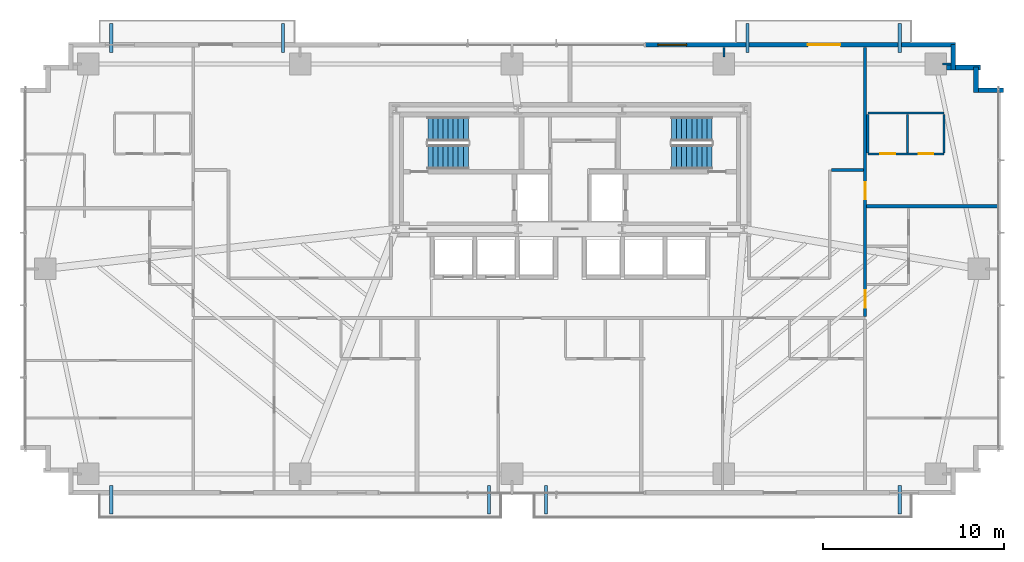
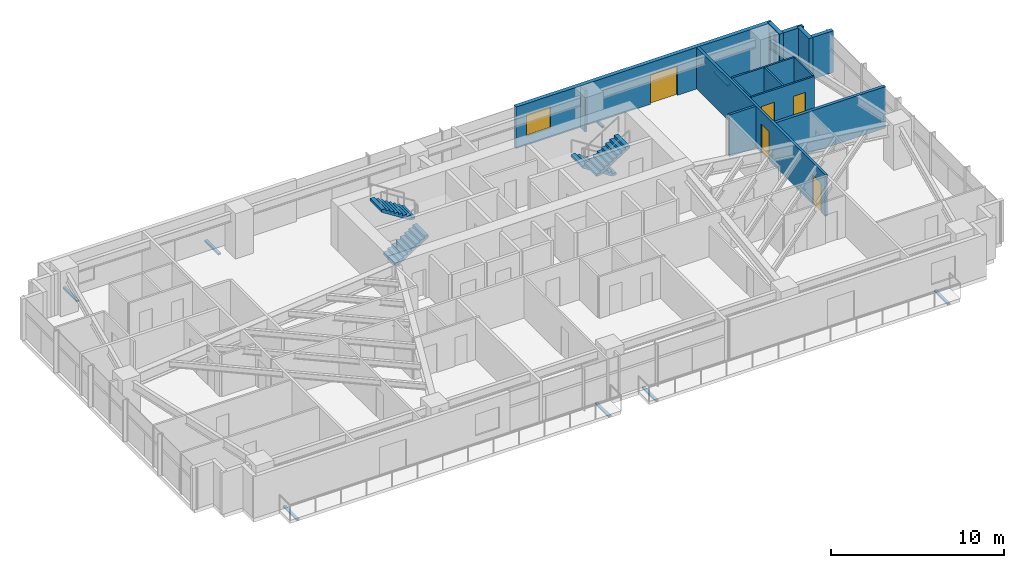
# One storey, part 22 of 25: 15 walls, 8 discrete accessories, 5 doors, 4 stair flights, 1 window, 6 openings, 2 elements without a shape of their own.
"""IFC4 building model written with IfcOpenShell, lengths in metres."""

import ifcopenshell
import ifcopenshell.guid

model = None  # the IFC model being written
_history = None  # IfcOwnerHistory: only IFC2X3 demands one
_inside = {}  # id of a spatial element -> (the spatial element, [elements in it])
_under = {}  # id of a project, library or spatial element -> (it, [spatial elements below it])
_declared = {}  # id of a project -> (the project, [libraries it declares])
_typed = {}  # id of a type object -> (the type object, [elements of that type])
_made_of = {}  # id of a material, layer set ... -> (it, [elements and type objects made of it])


def new_model(schema):
    """Start an empty IFC model of exactly this schema.

    Asked for "IFC4X3", IfcOpenShell would pick the latest addendum, in which some entities
    have other attributes; the version numbers below select the first issue.
    IFC2X3 requires an IfcOwnerHistory on every rooted entity: one is made here for all.
    """
    global model, _history
    if schema == "IFC4X3":
        model = ifcopenshell.file(schema_version=(4, 3, 0, 0))
    else:
        model = ifcopenshell.file(schema=schema)
    _inside.clear()
    _under.clear()
    _declared.clear()
    _typed.clear()
    _made_of.clear()
    _history = None
    if model.schema == "IFC2X3":
        org = make("IfcOrganization", Name="unknown")
        user = make(
            "IfcPersonAndOrganization",
            ThePerson=make("IfcPerson", FamilyName="unknown"),
            TheOrganization=org,
        )
        app = make(
            "IfcApplication",
            ApplicationDeveloper=org,
            Version="unknown",
            ApplicationFullName="unknown",
            ApplicationIdentifier="unknown",
        )
        _history = make(
            "IfcOwnerHistory",
            OwningUser=user,
            OwningApplication=app,
            ChangeAction="ADDED",
            CreationDate=0,
        )
    return model


def make(cls, **values):
    """One entity of the class cls with the attributes given. An attribute that is None is left unset."""
    return model.create_entity(
        cls, **{name: value for name, value in values.items() if value is not None}
    )


def rooted(cls, **values):
    """An entity with a GlobalId (a new one), such as an element, a storey or a relation."""
    return make(cls, GlobalId=ifcopenshell.guid.new(), OwnerHistory=_history, **values)


def si_unit(unit_type, name, prefix=None):
    """IfcSIUnit, for example si_unit("LENGTHUNIT", "METRE", prefix="MILLI")."""
    return make("IfcSIUnit", UnitType=unit_type, Prefix=prefix, Name=name)


def assignment(units):
    """IfcUnitAssignment: the units of a project."""
    return None if units is None else make("IfcUnitAssignment", Units=units)


def point(xyz):
    """IfcCartesianPoint."""
    return None if xyz is None else make("IfcCartesianPoint", Coordinates=xyz)


def direction(xyz):
    """IfcDirection."""
    return None if xyz is None else make("IfcDirection", DirectionRatios=xyz)


def frame(location, z_axis=None, x_axis=None):
    """IfcAxis2Placement3D, a coordinate frame: its origin and axes. An axis left out is left unset."""
    return make(
        "IfcAxis2Placement3D",
        Location=point(location),
        Axis=direction(z_axis),
        RefDirection=direction(x_axis),
    )


def frame_2d(location, x_axis=None):
    """IfcAxis2Placement2D, a coordinate frame in the plane: its origin and x axis."""
    return make(
        "IfcAxis2Placement2D", Location=point(location), RefDirection=direction(x_axis)
    )


def origin():
    """The frame at (0, 0, 0) with its axes left unset."""
    return frame((0.0, 0.0, 0.0))


def origin_2d():
    """The frame at (0, 0) in the plane with its x axis left unset."""
    return frame_2d((0.0, 0.0))


def place(relative_to, where):
    """IfcLocalPlacement: puts the frame where relative to a parent placement (None: the world)."""
    return make(
        "IfcLocalPlacement", PlacementRelTo=relative_to, RelativePlacement=where
    )


def context(
    kind, dimensions, precision=None, world=None, true_north=None, identifier=None
):
    """IfcGeometricRepresentationContext, for example the 3D "Model" context."""
    return make(
        "IfcGeometricRepresentationContext",
        ContextIdentifier=identifier,
        ContextType=kind,
        CoordinateSpaceDimension=dimensions,
        Precision=precision,
        WorldCoordinateSystem=world,
        TrueNorth=true_north,
    )


def subcontext(parent, identifier, kind, view, scale=None):
    """IfcGeometricRepresentationSubContext, for example "Body" below "Model"."""
    return make(
        "IfcGeometricRepresentationSubContext",
        ContextIdentifier=identifier,
        ContextType=kind,
        ParentContext=parent,
        TargetScale=scale,
        TargetView=view,
    )


def project(units=None, contexts=None):
    """IfcProject with its units and contexts."""
    return rooted(
        "IfcProject",
        Name="project",
        RepresentationContexts=contexts,
        UnitsInContext=assignment(units),
    )


def spatial(cls, under=None, at=None, **own):
    """A site, building, storey or space (cls), placed at a placement, below another one or the project."""
    s = rooted(cls, ObjectPlacement=at, **own)
    if under is not None:
        _under.setdefault(under.id(), (under, []))[1].append(s)
    return s


def polyline(points):
    """IfcPolyline through the points."""
    return make("IfcPolyline", Points=[point(p) for p in points])


def profile(cls, at=None, kind="AREA", **sizes):
    """A parametric profile (cls). Its sizes go by their IFC names, for example OverallWidth=200.0."""
    return make(cls, ProfileType=kind, Position=at, **sizes)


def rectangle(**sizes):
    """IfcRectangleProfileDef."""
    return profile("IfcRectangleProfileDef", **sizes)


def outline(outer, holes=None, kind="AREA"):
    """IfcArbitraryClosedProfileDef: a profile drawn as a closed curve; with holes, ...WithVoids."""
    if holes is None:
        return make("IfcArbitraryClosedProfileDef", ProfileType=kind, OuterCurve=outer)
    return make(
        "IfcArbitraryProfileDefWithVoids",
        ProfileType=kind,
        OuterCurve=outer,
        InnerCurves=holes,
    )


def extrude(swept, where, along, depth):
    """IfcExtrudedAreaSolid: the profile swept, set in the frame where, extruded along a direction by depth."""
    return make(
        "IfcExtrudedAreaSolid",
        SweptArea=swept,
        Position=where,
        ExtrudedDirection=direction(along),
        Depth=depth,
    )


def shape(context_of_items, identifier, shape_type, items):
    """IfcShapeRepresentation: the items that make up one representation, for example the "Body"."""
    return make(
        "IfcShapeRepresentation",
        ContextOfItems=context_of_items,
        RepresentationIdentifier=identifier,
        RepresentationType=shape_type,
        Items=items,
    )


def source(mapping_origin, context_of_items, identifier, shape_type, items):
    """IfcRepresentationMap: a shape defined once, which mapped items show again and again."""
    return make(
        "IfcRepresentationMap",
        MappingOrigin=mapping_origin,
        MappedRepresentation=shape(context_of_items, identifier, shape_type, items),
    )


def transform(
    local_origin,
    x_axis=None,
    y_axis=None,
    z_axis=None,
    scale=None,
    scale2=None,
    scale3=None,
    uniform=True,
):
    """IfcCartesianTransformationOperator3D, or its non-uniform kind. x_axis, y_axis, z_axis: its Axis1, 2, 3."""
    if uniform:
        return make(
            "IfcCartesianTransformationOperator3D",
            Axis1=direction(x_axis),
            Axis2=direction(y_axis),
            LocalOrigin=point(local_origin),
            Scale=scale,
            Axis3=direction(z_axis),
        )
    return make(
        "IfcCartesianTransformationOperator3DnonUniform",
        Axis1=direction(x_axis),
        Axis2=direction(y_axis),
        LocalOrigin=point(local_origin),
        Scale=scale,
        Axis3=direction(z_axis),
        Scale2=scale2,
        Scale3=scale3,
    )


def mapped(mapping_source, mapping_target):
    """IfcMappedItem: shows the shape of a source again, moved by a transform."""
    return make(
        "IfcMappedItem", MappingSource=mapping_source, MappingTarget=mapping_target
    )


def material(Name=None, Category=None):
    """IfcMaterial."""
    return make("IfcMaterial", Name=Name, Category=Category)


def layer(
    of_material, thickness, ventilated=None, Name=None, Category=None, Priority=None
):
    """IfcMaterialLayer: one layer of a wall or slab, of a material (None: an air gap)."""
    return make(
        "IfcMaterialLayer",
        Material=of_material,
        LayerThickness=thickness,
        IsVentilated=ventilated,
        Name=Name,
        Category=Category,
        Priority=Priority,
    )


def layer_set(layers, Name=None):
    """IfcMaterialLayerSet."""
    return make("IfcMaterialLayerSet", MaterialLayers=layers, LayerSetName=Name)


def made_of(thing, what):
    """Note that an element or type object is made of a material, layer set ...; save() writes the relation."""
    if what is not None:
        _made_of.setdefault(what.id(), (what, []))[1].append(thing)
    return thing


def type_object(cls, material=None, **own):
    """A type object (cls), such as IfcWallType, which elements share."""
    return made_of(rooted(cls, **own), material)


def type_shapes(of_type, sources):
    """Give a type object the sources (RepresentationMaps) that its elements show as mapped items."""
    of_type.RepresentationMaps = sources


def element(
    cls,
    number,
    at=None,
    inside=None,
    cuts=None,
    type_object=None,
    material=None,
    context=None,
    identifier="Body",
    shape_type=None,
    held_by="IfcProductDefinitionShape",
    body=None,
    shapes=None,
    **own,
):
    """One element of the class cls, such as IfcWall. Its Tag is "e" and its number.

    at: its placement. inside: the storey or other place that contains it. cuts: it is an
    opening in that element (IfcRelVoidsElement). A single representation is given by context,
    identifier, shape_type and body (its items); several are given by shapes. held_by: the class
    of the entity that holds the representations. save() writes the other relations.
    """
    e = rooted(cls, Tag="e%d" % number, ObjectPlacement=at, **own)
    if body is not None:
        shapes = [shape(context, identifier, shape_type, body)]
    if shapes is not None:
        e.Representation = make(held_by, Representations=shapes)
    if inside is not None:
        _inside.setdefault(inside.id(), (inside, []))[1].append(e)
    if cuts is not None:
        rooted(
            "IfcRelVoidsElement", RelatingBuildingElement=cuts, RelatedOpeningElement=e
        )
    if type_object is not None:
        _typed.setdefault(type_object.id(), (type_object, []))[1].append(e)
    return made_of(e, material)


def fill(opening, filler):
    """IfcRelFillsElement: the door or window that sits in an opening."""
    return rooted(
        "IfcRelFillsElement",
        RelatingOpeningElement=opening,
        RelatedBuildingElement=filler,
    )


def aggregate(whole, parts):
    """IfcRelAggregates: a whole, such as a stair, and the parts it consists of."""
    return rooted("IfcRelAggregates", RelatingObject=whole, RelatedObjects=parts)


def save(model, path):
    """Write the relations noted so far, then the file.

    IfcRelAggregates (storeys below a building ...), IfcRelContainedInSpatialStructure (elements
    in a storey), IfcRelDefinesByType, IfcRelAssociatesMaterial and IfcRelDeclares: one each for
    every whole, place, type object, material and project.
    """
    for whole, parts in _under.values():
        aggregate(whole, parts)
    for where, things in _inside.values():
        rooted(
            "IfcRelContainedInSpatialStructure",
            RelatedElements=things,
            RelatingStructure=where,
        )
    for kind, things in _typed.values():
        rooted("IfcRelDefinesByType", RelatedObjects=things, RelatingType=kind)
    for what, things in _made_of.values():
        rooted("IfcRelAssociatesMaterial", RelatedObjects=things, RelatingMaterial=what)
    for by, libraries in _declared.values():
        rooted("IfcRelDeclares", RelatingContext=by, RelatedDefinitions=libraries)
    model.write(path)


model = new_model("IFC4")

# Units and contexts
model_context = context("Model", 3, precision=1e-05, world=origin(), true_north=direction((0.0, 1.0)))
body_context = subcontext(model_context, "Body", "Model", "MODEL_VIEW")
ifc_project = project(units=[si_unit("LENGTHUNIT", "METRE"), si_unit("AREAUNIT", "SQUARE_METRE"), si_unit("VOLUMEUNIT", "CUBIC_METRE"), si_unit("PLANEANGLEUNIT", "RADIAN"), si_unit("MASSUNIT", "GRAM", prefix="KILO")], contexts=[model_context])

# Site, building, storey
site_placement = place(None, origin())
site = spatial("IfcSite", under=ifc_project, at=site_placement, CompositionType="ELEMENT")
building_placement = place(site_placement, origin())
building = spatial("IfcBuilding", under=site, at=building_placement, Name="Astriad Promenade Condominiums", CompositionType="ELEMENT")
storey_placement = place(building_placement, frame((0.0, 0.0, 61.39990234375)))
storey = spatial("IfcBuildingStorey", under=building, at=storey_placement, Name="L17", CompositionType="ELEMENT", Elevation=61.39990234375)

# Wall, openings, doors
ifc_material_1 = material(Name="Fire-Rated Gypsum Partition")
ifc_layer_1 = layer(ifc_material_1, 0.159912109375)
ifc_layer_set_1 = layer_set([ifc_layer_1], Name="Fire-Rated Gypsum Partition")
wall_type_1 = type_object("IfcWallType", Name="WALL-CORR-160", PredefinedType="PARTITIONING", material=ifc_layer_set_1)
wall_1_placement = place(storey_placement, frame((52.300048828125, 12.572021484375, 0.0), z_axis=(0.0, 0.0, 1.0), x_axis=(0.0, 1.0, 0.0)))
wall_1 = element("IfcWall", 1, at=wall_1_placement, inside=storey, type_object=wall_type_1, Name="PT-COR-E-L17-S2", PredefinedType="PARTITIONING", context=body_context, shape_type="SweptSolid", body=[
    extrude(rectangle(XDim=14.865966796875, YDim=0.159912109375, at=frame_2d((7.43310546875, 0.0))), origin(), (0.0, 0.0, 1.0), 2.940185546875),
])
opening_1_placement = place(wall_1_placement, frame((0.492919921875, 0.0, 0.0)))
opening_1 = element("IfcOpeningElement", 2, at=opening_1_placement, cuts=wall_1, Name="Opening FD60-APT-095", PredefinedType="OPENING", context=body_context, shape_type="SweptSolid", body=[
    extrude(rectangle(XDim=0.949951171875, YDim=2.06005859375, at=frame_2d((0.47509765625, 1.030029296875))), frame((0.0, 0.08984375, 0.0), z_axis=(0.0, -1.0, 0.0), x_axis=(1.0, 0.0, 0.0)), (0.0, 0.0, 1.0), 0.179931640625),
])
opening_2_placement = place(wall_1_placement, frame((6.470947265625, 0.0, 0.0)))
opening_2 = element("IfcOpeningElement", 3, at=opening_2_placement, cuts=wall_1, Name="Opening FD60-APT-095", PredefinedType="OPENING", context=body_context, shape_type="SweptSolid", body=[
    extrude(rectangle(XDim=0.949951171875, YDim=2.06005859375, at=frame_2d((0.47509765625, 1.030029296875))), frame((0.0, 0.08984375, 0.0), z_axis=(0.0, -1.0, 0.0), x_axis=(1.0, 0.0, 0.0)), (0.0, 0.0, 1.0), 0.179931640625),
])
ifc_material_2 = material(Name="Solid-Core Acoustic Timber Residence Entry Door", Category="wood")
door_type_1 = type_object("IfcDoorType", Name="FD60-APT-095", OperationType="NOTDEFINED", PredefinedType="DOOR", material=ifc_material_2)
shared_shape_1 = source(origin(), body_context, "Body", "SweptSolid", [
    extrude(rectangle(XDim=0.949951171875, YDim=2.06005859375, at=frame_2d((0.47509765625, 1.030029296875))), frame((0.0, 0.02490234375, 0.0), z_axis=(0.0, -1.0, 0.0), x_axis=(1.0, 0.0, 0.0)), (0.0, 0.0, 1.0), 0.050048828125),
])
type_shapes(door_type_1, [shared_shape_1])
door_1_placement = place(opening_1_placement, origin())
door_1 = element("IfcDoor", 4, at=door_1_placement, inside=storey, type_object=door_type_1, Name="D-ENT-L17-E1", OperationType="SINGLE_SWING_LEFT", OverallHeight=2.06005859375, OverallWidth=0.949951171875, PredefinedType="DOOR", context=body_context, shape_type="MappedRepresentation", body=[
    mapped(shared_shape_1, transform((0.0, 0.0, 0.0), scale=1.0)),
])
fill(opening_1, door_1)
door_2_placement = place(opening_2_placement, origin())
door_2 = element("IfcDoor", 5, at=door_2_placement, inside=storey, type_object=door_type_1, Name="D-ENT-L17-E2", OperationType="SINGLE_SWING_LEFT", OverallHeight=2.06005859375, OverallWidth=0.949951171875, PredefinedType="DOOR", context=body_context, shape_type="MappedRepresentation", body=[
    mapped(shared_shape_1, transform((0.0, 0.0, 0.0), scale=1.0)),
])
fill(opening_2, door_2)

# Walls
wall_2_placement = place(storey_placement, frame((50.431884765625, 20.64990234375, 0.0), z_axis=(0.0, 0.0, 1.0), x_axis=(1.0, 0.0, 0.0)))
element("IfcWall", 6, at=wall_2_placement, inside=storey, type_object=wall_type_1, Name="PT-EALC-N-L17", PredefinedType="PARTITIONING", context=body_context, shape_type="SweptSolid", body=[
    extrude(rectangle(XDim=1.7861328125, YDim=0.159912109375, at=frame_2d((0.89306640625, 0.0))), origin(), (0.0, 0.0, 1.0), 2.940185546875),
])
ifc_material_3 = material(Name="Acoustic Double-Stud Gypsum Partition")
ifc_layer_2 = layer(ifc_material_3, 0.199951171875)
ifc_layer_set_2 = layer_set([ifc_layer_2], Name="Acoustic Double-Stud Gypsum Partition")
wall_type_2 = type_object("IfcWallType", Name="WALL-DEMISING-200", PredefinedType="PARTITIONING", material=ifc_layer_set_2)
wall_3_placement = place(storey_placement, frame((52.382080078125, 18.64990234375, 0.0), z_axis=(0.0, 0.0, 1.0), x_axis=(1.0, 0.0, 0.0)))
element("IfcWall", 7, at=wall_3_placement, inside=storey, type_object=wall_type_2, Name="PT-DEM-EE-L17", PredefinedType="PARTITIONING", context=body_context, shape_type="SweptSolid", body=[
    extrude(rectangle(XDim=7.337890625, YDim=0.199951171875, at=frame_2d((3.6689453125, 0.0))), origin(), (0.0, 0.0, 1.0), 2.940185546875),
])

# Wall, openings, door, window
ifc_material_4 = material(Name="Precast concrete C50/60", Category="concrete")
ifc_layer_3 = layer(ifc_material_4, 0.260009765625)
ifc_layer_set_3 = layer_set([ifc_layer_3], Name="Precast concrete C50/60")
wall_type_3 = type_object("IfcWallType", Name="WALL-EXT-TWR-260", PredefinedType="STANDARD", material=ifc_layer_set_3)
wall_4_placement = place(storey_placement, frame((40.14990234375, 27.570068359375, 0.0), z_axis=(0.0, 0.0, 1.0), x_axis=(1.0, 0.0, 0.0)))
wall_4 = element("IfcWall", 8, at=wall_4_placement, inside=storey, type_object=wall_type_3, Name="W-EXT-L17-N2", PredefinedType="STANDARD", context=body_context, shape_type="SweptSolid", body=[
    extrude(rectangle(XDim=17.150146484375, YDim=0.260009765625, at=frame_2d((8.5751953125, 0.0))), origin(), (0.0, 0.0, 1.0), 2.940185546875),
])
opening_3_placement = place(wall_4_placement, frame((8.989990234375, 0.0, 0.0)))
opening_3 = element("IfcOpeningElement", 9, at=opening_3_placement, cuts=wall_4, Name="Opening BD-1822-SLD", PredefinedType="OPENING", context=body_context, shape_type="SweptSolid", body=[
    extrude(rectangle(XDim=1.800048828125, YDim=2.06005859375, at=frame_2d((0.89990234375, 1.030029296875))), frame((0.0, 0.139892578125, 0.0), z_axis=(0.0, -1.0, 0.0), x_axis=(1.0, 0.0, 0.0)), (0.0, 0.0, 1.0), 0.280029296875),
])
opening_4_placement = place(wall_4_placement, frame((0.699951171875, 0.0, 0.64990234375)))
opening_4 = element("IfcOpeningElement", 10, at=opening_4_placement, cuts=wall_4, Name="Opening WIN-TWR-1620", PredefinedType="OPENING", context=body_context, shape_type="SweptSolid", body=[
    extrude(rectangle(XDim=1.60009765625, YDim=1.5, at=frame_2d((0.800048828125, 0.75))), frame((0.0, 0.139892578125, 0.0), z_axis=(0.0, -1.0, 0.0), x_axis=(1.0, 0.0, 0.0)), (0.0, 0.0, 1.0), 0.280029296875),
])
ifc_material_5 = material(Name="Thermally Broken Aluminium Sliding Balcony Door", Category="aluminium")
door_type_2 = type_object("IfcDoorType", Name="BD-1822-SLD", OperationType="NOTDEFINED", PredefinedType="DOOR", material=ifc_material_5)
shared_shape_2 = source(origin(), body_context, "Body", "SweptSolid", [
    extrude(rectangle(XDim=1.800048828125, YDim=2.06005859375, at=frame_2d((0.89990234375, 1.030029296875))), frame((0.0, 0.02490234375, 0.0), z_axis=(0.0, -1.0, 0.0), x_axis=(1.0, 0.0, 0.0)), (0.0, 0.0, 1.0), 0.050048828125),
])
type_shapes(door_type_2, [shared_shape_2])
door_3_placement = place(opening_3_placement, origin())
door_3 = element("IfcDoor", 11, at=door_3_placement, inside=storey, type_object=door_type_2, Name="BD-L17-NE", OperationType="SLIDING_TO_RIGHT", OverallHeight=2.06005859375, OverallWidth=1.800048828125, PredefinedType="DOOR", context=body_context, shape_type="MappedRepresentation", body=[
    mapped(shared_shape_2, transform((0.0, 0.0, 0.0), scale=1.0)),
])
fill(opening_3, door_3)
ifc_material_6 = material(Name="Dark Tinted Triple-Glazed Aluminium Window", Category="aluminium")
window_type = type_object("IfcWindowType", Name="WIN-TWR-1620", PartitioningType="SINGLE_PANEL", PredefinedType="WINDOW", material=ifc_material_6)
shared_shape_3 = source(origin(), body_context, "Body", "SweptSolid", [
    extrude(rectangle(XDim=1.60009765625, YDim=1.5, at=frame_2d((0.800048828125, 0.75))), frame((0.0, 0.030029296875, 0.0), z_axis=(0.0, -1.0, 0.0), x_axis=(1.0, 0.0, 0.0)), (0.0, 0.0, 1.0), 0.06005859375),
])
type_shapes(window_type, [shared_shape_3])
window_placement = place(opening_4_placement, origin())
window = element("IfcWindow", 12, at=window_placement, inside=storey, type_object=window_type, Name="WIN-L17-NE", OverallHeight=1.5, OverallWidth=1.60009765625, PartitioningType="SINGLE_PANEL", PredefinedType="WINDOW", context=body_context, shape_type="MappedRepresentation", body=[
    mapped(shared_shape_3, transform((0.0, 0.0, 0.0), scale=1.0)),
])
fill(opening_4, window)

# Walls
wall_5_placement = place(storey_placement, frame((57.169921875, 27.5849609375, 0.0), z_axis=(0.0, 0.0, 1.0), x_axis=(0.0, -1.0, 0.0)))
element("IfcWall", 13, at=wall_5_placement, inside=storey, type_object=wall_type_3, Name="W-SER-L17-09", PredefinedType="STANDARD", context=body_context, shape_type="SweptSolid", body=[
    extrude(rectangle(XDim=1.39501953125, YDim=0.260009765625, at=frame_2d((0.697509765625, 0.0))), origin(), (0.0, 0.0, 1.0), 2.940185546875),
])
wall_6_placement = place(storey_placement, frame((56.802001953125, 26.320068359375, 0.0), z_axis=(0.0, 0.0, 1.0), x_axis=(1.0, 0.0, 0.0)))
element("IfcWall", 14, at=wall_6_placement, inside=storey, type_object=wall_type_3, Name="W-SER-L17-10", PredefinedType="STANDARD", context=body_context, shape_type="SweptSolid", body=[
    extrude(rectangle(XDim=1.8779296875, YDim=0.260009765625, at=frame_2d((0.93896484375, 0.0))), origin(), (0.0, 0.0, 1.0), 2.940185546875),
])
for number, where, z_axis, x_axis, name in (
    (15, (58.419921875, 26.3349609375, 0.0), (0.0, 0.0, 1.0), (0.0, -1.0, 0.0), "W-SER-L17-11"),
    (16, (58.534912109375, 25.070068359375, 0.0), (0.0, 0.0, 1.0), (1.0, 0.0, 0.0), "W-SER-L17-12"),
):
    element("IfcWall", number, at=place(storey_placement, frame(where, z_axis=z_axis, x_axis=x_axis)), inside=storey, type_object=wall_type_3, Name=name, PredefinedType="STANDARD", context=body_context, shape_type="SweptSolid", body=[
        extrude(rectangle(XDim=1.39501953125, YDim=0.260009765625, at=frame_2d((0.697509765625, 0.0))), origin(), (0.0, 0.0, 1.0), 2.940185546875),
    ])

# Wall, openings, doors
ifc_material_7 = material(Name="Acoustic Metal-Stud Gypsum Partition")
ifc_layer_4 = layer(ifc_material_7, 0.1201171875)
ifc_layer_set_4 = layer_set([ifc_layer_4], Name="Acoustic Metal-Stud Gypsum Partition")
wall_type_4 = type_object("IfcWallType", Name="WALL-PART-120", PredefinedType="PARTITIONING", material=ifc_layer_set_4)
wall_7_placement = place(storey_placement, frame((52.449951171875, 21.550048828125, 0.0), z_axis=(0.0, 0.0, 1.0), x_axis=(1.0, 0.0, 0.0)))
wall_7 = element("IfcWall", 17, at=wall_7_placement, inside=storey, type_object=wall_type_4, Name="PT-L17-E2-PH", PredefinedType="PARTITIONING", context=body_context, shape_type="SweptSolid", body=[
    extrude(rectangle(XDim=4.199951171875, YDim=0.1201171875, at=frame_2d((2.10009765625, 0.0))), origin(), (0.0, 0.0, 1.0), 2.940185546875),
])
opening_5_placement = place(wall_7_placement, frame((0.675048828125, 0.0, 0.0)))
opening_5 = element("IfcOpeningElement", 18, at=opening_5_placement, cuts=wall_7, Name="Opening D-INT-085", PredefinedType="OPENING", context=body_context, shape_type="SweptSolid", body=[
    extrude(rectangle(XDim=0.85009765625, YDim=2.050048828125, at=frame_2d((0.425048828125, 1.02490234375))), frame((0.0, 0.070068359375, 0.0), z_axis=(0.0, -1.0, 0.0), x_axis=(1.0, 0.0, 0.0)), (0.0, 0.0, 1.0), 0.14013671875),
])
opening_6_placement = place(wall_7_placement, frame((2.800048828125, 0.0, 0.0)))
opening_6 = element("IfcOpeningElement", 19, at=opening_6_placement, cuts=wall_7, Name="Opening D-WET-080", PredefinedType="OPENING", context=body_context, shape_type="SweptSolid", body=[
    extrude(rectangle(XDim=0.800048828125, YDim=2.02001953125, at=frame_2d((0.39990234375, 1.010009765625))), frame((0.0, 0.070068359375, 0.0), z_axis=(0.0, -1.0, 0.0), x_axis=(1.0, 0.0, 0.0)), (0.0, 0.0, 1.0), 0.14013671875),
])
ifc_material_8 = material(Name="Moisture-Resistant Timber Bathroom Door", Category="wood")
door_type_3 = type_object("IfcDoorType", Name="D-WET-080", OperationType="NOTDEFINED", PredefinedType="DOOR", material=ifc_material_8)
shared_shape_4 = source(origin(), body_context, "Body", "SweptSolid", [
    extrude(rectangle(XDim=0.800048828125, YDim=2.02001953125, at=frame_2d((0.39990234375, 1.010009765625))), frame((0.0, 0.02490234375, 0.0), z_axis=(0.0, -1.0, 0.0), x_axis=(1.0, 0.0, 0.0)), (0.0, 0.0, 1.0), 0.050048828125),
])
type_shapes(door_type_3, [shared_shape_4])
door_4_placement = place(opening_6_placement, origin())
door_4 = element("IfcDoor", 20, at=door_4_placement, inside=storey, type_object=door_type_3, Name="D-BTH-L17-E2", OperationType="SINGLE_SWING_LEFT", OverallHeight=2.02001953125, OverallWidth=0.800048828125, PredefinedType="DOOR", context=body_context, shape_type="MappedRepresentation", body=[
    mapped(shared_shape_4, transform((0.0, 0.0, 0.0), scale=1.0)),
])
fill(opening_6, door_4)
ifc_material_9 = material(Name="Painted Solid-Core Timber Room Door", Category="wood")
door_type_4 = type_object("IfcDoorType", Name="D-INT-085", OperationType="NOTDEFINED", PredefinedType="DOOR", material=ifc_material_9)
shared_shape_5 = source(origin(), body_context, "Body", "SweptSolid", [
    extrude(rectangle(XDim=0.85009765625, YDim=2.050048828125, at=frame_2d((0.425048828125, 1.02490234375))), frame((0.0, 0.02490234375, 0.0), z_axis=(0.0, -1.0, 0.0), x_axis=(1.0, 0.0, 0.0)), (0.0, 0.0, 1.0), 0.050048828125),
])
type_shapes(door_type_4, [shared_shape_5])
door_5_placement = place(opening_5_placement, origin())
door_5 = element("IfcDoor", 21, at=door_5_placement, inside=storey, type_object=door_type_4, Name="D-KIT-L17-E2", OperationType="SINGLE_SWING_RIGHT", OverallHeight=2.050048828125, OverallWidth=0.85009765625, PredefinedType="DOOR", context=body_context, shape_type="MappedRepresentation", body=[
    mapped(shared_shape_5, transform((0.0, 0.0, 0.0), scale=1.0)),
])
fill(opening_5, door_5)

# Walls
wall_8_placement = place(storey_placement, frame((52.449951171875, 23.800048828125, 0.0), z_axis=(0.0, 0.0, 1.0), x_axis=(1.0, 0.0, 0.0)))
element("IfcWall", 22, at=wall_8_placement, inside=storey, type_object=wall_type_4, Name="PT-L17-E2-PHN", PredefinedType="PARTITIONING", context=body_context, shape_type="SweptSolid", body=[
    extrude(rectangle(XDim=4.199951171875, YDim=0.1201171875, at=frame_2d((2.10009765625, 0.0))), origin(), (0.0, 0.0, 1.0), 2.940185546875),
])
for number, where, z_axis, x_axis, name in (
    (23, (52.449951171875, 21.612060546875, 0.0), (0.0, 0.0, 1.0), (0.0, 1.0, 0.0), "PT-L17-E2-PK1"),
    (24, (54.64990234375, 21.612060546875, 0.0), (0.0, 0.0, 1.0), (0.0, 1.0, 0.0), "PT-L17-E2-PK2"),
    (25, (56.64990234375, 21.612060546875, 0.0), (0.0, 0.0, 1.0), (0.0, 1.0, 0.0), "PT-L17-E2-PK3"),
):
    element("IfcWall", number, at=place(storey_placement, frame(where, z_axis=z_axis, x_axis=x_axis)), inside=storey, type_object=wall_type_4, Name=name, PredefinedType="PARTITIONING", context=body_context, shape_type="SweptSolid", body=[
        extrude(rectangle(XDim=2.1259765625, YDim=0.1201171875, at=frame_2d((1.06298828125, 0.0))), origin(), (0.0, 0.0, 1.0), 2.940185546875),
    ])
wall_9_placement = place(storey_placement, frame((44.5, 26.89990234375, 0.0), z_axis=(0.0, 0.0, 1.0), x_axis=(0.0, 1.0, 0.0)))
element("IfcWall", 26, at=wall_9_placement, inside=storey, type_object=wall_type_4, Name="PT-PIL-L17-PC09-16", PredefinedType="PARTITIONING", context=body_context, shape_type="SweptSolid", body=[
    extrude(rectangle(XDim=0.5380859375, YDim=0.1201171875, at=frame_2d((0.26904296875, 0.0))), origin(), (0.0, 0.0, 1.0), 2.940185546875),
])
wall_10_placement = place(storey_placement, frame((56.580078125, 26.52001953125, 0.0), z_axis=(0.0, 0.0, 1.0), x_axis=(1.0, 0.0, 0.0)))
element("IfcWall", 27, at=wall_10_placement, inside=storey, type_object=wall_type_4, Name="PT-PIL-L17-PC10-17", PredefinedType="PARTITIONING", context=body_context, shape_type="SweptSolid", body=[
    extrude(rectangle(XDim=0.4580078125, YDim=0.1201171875, at=frame_2d((0.22900390625, 0.0))), origin(), (0.0, 0.0, 1.0), 2.940185546875),
])

# Stair, stair flights
ifc_material_10 = material(Name="Concrete C50/60", Category="concrete")
stair_type = type_object("IfcStairType", Name="STR-CORE-1350", PredefinedType="HALF_TURN_STAIR", material=ifc_material_10)
stair_1_placement = place(storey_placement, origin())
stair_1 = element("IfcStair", 28, at=stair_1_placement, inside=storey, type_object=stair_type, Name="L17 Enclosed Core Exit Stair ST-1", PredefinedType="HALF_TURN_STAIR")
stair_flight_type = type_object("IfcStairFlightType", Name="SFL-CORE-1350", PredefinedType="STRAIGHT", material=ifc_material_10)
shared_shape_6 = source(origin(), body_context, "Body", "SweptSolid", [
    extrude(outline(polyline([(0.0, 0.0), (0.0, 0.177734375), (0.280029296875, 0.177734375), (0.280029296875, 0.35546875), (0.56005859375, 0.35546875), (0.56005859375, 0.533447265625), (0.840087890625, 0.533447265625), (0.840087890625, 0.711181640625), (1.1201171875, 0.711181640625), (1.1201171875, 0.888916015625), (1.39990234375, 0.888916015625), (1.39990234375, 1.066650390625), (1.679931640625, 1.066650390625), (1.679931640625, 1.244384765625), (1.9599609375, 1.244384765625), (1.9599609375, 1.422119140625), (2.239990234375, 1.422119140625), (2.239990234375, 1.60009765625), (2.239990234375, 1.24462890625), (0.27978515625, 0.0), (0.0, 0.0)])), frame((0.0, 0.675048828125, 0.0), z_axis=(0.0, -1.0, 0.0), x_axis=(1.0, 0.0, 0.0)), (0.0, 0.0, 1.0), 1.35009765625),
])
type_shapes(stair_flight_type, [shared_shape_6])
stair_flight_1_placement = place(storey_placement, frame((28.14990234375, 21.375, 0.0), z_axis=(0.0, 0.0, 1.0), x_axis=(1.0, 0.0, 0.0)))
stair_flight_1 = element("IfcStairFlight", 29, at=stair_flight_1_placement, type_object=stair_flight_type, Name="ST-1 flight 1", NumberOfRisers=9, NumberOfTreads=8, PredefinedType="STRAIGHT", RiserHeight=0.177777778, TreadLength=0.28, context=body_context, shape_type="MappedRepresentation", body=[
    mapped(shared_shape_6, transform((0.0, 0.0, 0.0), scale=1.0)),
])
stair_flight_2_placement = place(storey_placement, frame((30.389892578125, 22.925048828125, 1.60009765625), z_axis=(0.0, 0.0, 1.0), x_axis=(-1.0, 0.0, 0.0)))
stair_flight_2 = element("IfcStairFlight", 30, at=stair_flight_2_placement, type_object=stair_flight_type, Name="ST-1 flight 2", NumberOfRisers=9, NumberOfTreads=8, PredefinedType="STRAIGHT", RiserHeight=0.177777778, TreadLength=0.28, context=body_context, shape_type="MappedRepresentation", body=[
    mapped(shared_shape_6, transform((0.0, 0.0, 0.0), scale=1.0)),
])
aggregate(stair_1, [stair_flight_1, stair_flight_2])

stair_2_placement = place(storey_placement, origin())
stair_2 = element("IfcStair", 31, at=stair_2_placement, inside=storey, type_object=stair_type, Name="L17 Enclosed Core Exit Stair ST-2", PredefinedType="HALF_TURN_STAIR")
stair_flight_3_placement = place(storey_placement, frame((43.85009765625, 22.925048828125, 0.0), z_axis=(0.0, 0.0, 1.0), x_axis=(-1.0, 0.0, 0.0)))
stair_flight_3 = element("IfcStairFlight", 32, at=stair_flight_3_placement, type_object=stair_flight_type, Name="ST-2 flight 1", NumberOfRisers=9, NumberOfTreads=8, PredefinedType="STRAIGHT", RiserHeight=0.177777778, TreadLength=0.28, context=body_context, shape_type="MappedRepresentation", body=[
    mapped(shared_shape_6, transform((0.0, 0.0, 0.0), scale=1.0)),
])
stair_flight_4_placement = place(storey_placement, frame((41.610107421875, 21.375, 1.60009765625), z_axis=(0.0, 0.0, 1.0), x_axis=(1.0, 0.0, 0.0)))
stair_flight_4 = element("IfcStairFlight", 33, at=stair_flight_4_placement, type_object=stair_flight_type, Name="ST-2 flight 2", NumberOfRisers=9, NumberOfTreads=8, PredefinedType="STRAIGHT", RiserHeight=0.177777778, TreadLength=0.28, context=body_context, shape_type="MappedRepresentation", body=[
    mapped(shared_shape_6, transform((0.0, 0.0, 0.0), scale=1.0)),
])
aggregate(stair_2, [stair_flight_3, stair_flight_4])

# Discrete accessories
ifc_material_11 = material(Name="Steel ASTM A572 Grade 50", Category="steel")
discrete_accessory_type = type_object("IfcDiscreteAccessoryType", Name="STEEL BALCONY OUTRIGGER BRACKET", PredefinedType="BRACKET", material=ifc_material_11)
shared_shape_7 = source(origin(), body_context, "Body", "SweptSolid", [
    extrude(rectangle(XDim=1.60009765625, YDim=0.179931640625, at=origin_2d()), origin(), (0.0, 0.0, 1.0), 0.1220703125),
])
type_shapes(discrete_accessory_type, [shared_shape_7])
for number, where, z_axis, x_axis, name in (
    (34, (10.672119140625, 2.449951171875, -0.33984375), (0.0, 0.0, 1.0), (0.0, -1.0, 0.0), "Balcony Outrigger Bracket BAL-L17-SW-A"),
    (35, (31.527099609375, 2.449951171875, -0.33984375), (0.0, 0.0, 1.0), (0.0, -1.0, 0.0), "Balcony Outrigger Bracket BAL-L17-SW-B"),
    (36, (34.681884765625, 2.449951171875, -0.33984375), (0.0, 0.0, 1.0), (0.0, -1.0, 0.0), "Balcony Outrigger Bracket BAL-L17-SE-A"),
    (37, (54.2060546875, 2.449951171875, -0.33984375), (0.0, 0.0, 1.0), (0.0, -1.0, 0.0), "Balcony Outrigger Bracket BAL-L17-SE-B"),
    (38, (10.672119140625, 27.949951171875, -0.33984375), (0.0, 0.0, 1.0), (0.0, 1.0, 0.0), "Balcony Outrigger Bracket BAL-L17-NW-A"),
    (39, (20.14990234375, 27.949951171875, -0.33984375), (0.0, 0.0, 1.0), (0.0, 1.0, 0.0), "Balcony Outrigger Bracket BAL-L17-NW-B"),
    (40, (45.81005859375, 27.949951171875, -0.33984375), (0.0, 0.0, 1.0), (0.0, 1.0, 0.0), "Balcony Outrigger Bracket BAL-L17-NE-A"),
    (41, (54.2060546875, 27.949951171875, -0.33984375), (0.0, 0.0, 1.0), (0.0, 1.0, 0.0), "Balcony Outrigger Bracket BAL-L17-NE-B"),
):
    element("IfcDiscreteAccessory", number, at=place(storey_placement, frame(where, z_axis=z_axis, x_axis=x_axis)), inside=storey, type_object=discrete_accessory_type, Name=name, PredefinedType="BRACKET", context=body_context, shape_type="MappedRepresentation", body=[
        mapped(shared_shape_7, transform((0.0, 0.0, 0.0), scale=1.0)),
    ])

save(model, "model.ifc")
